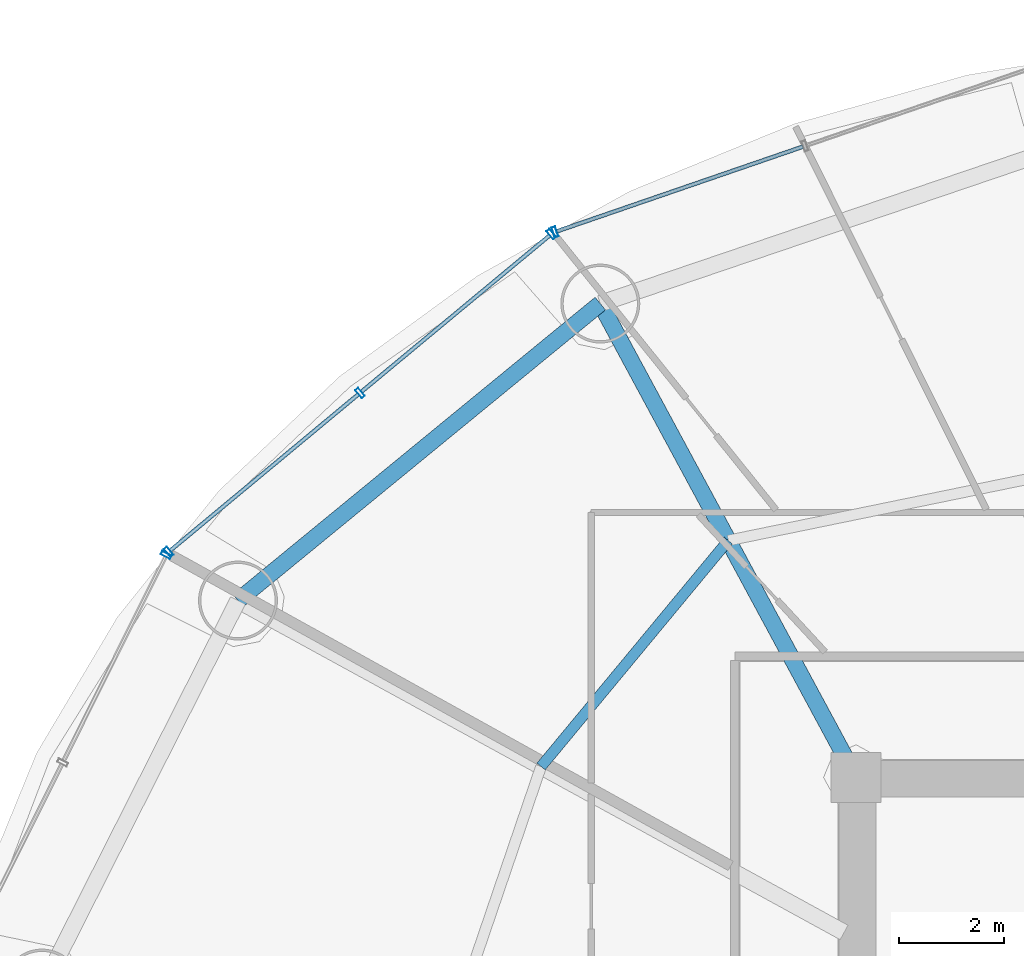
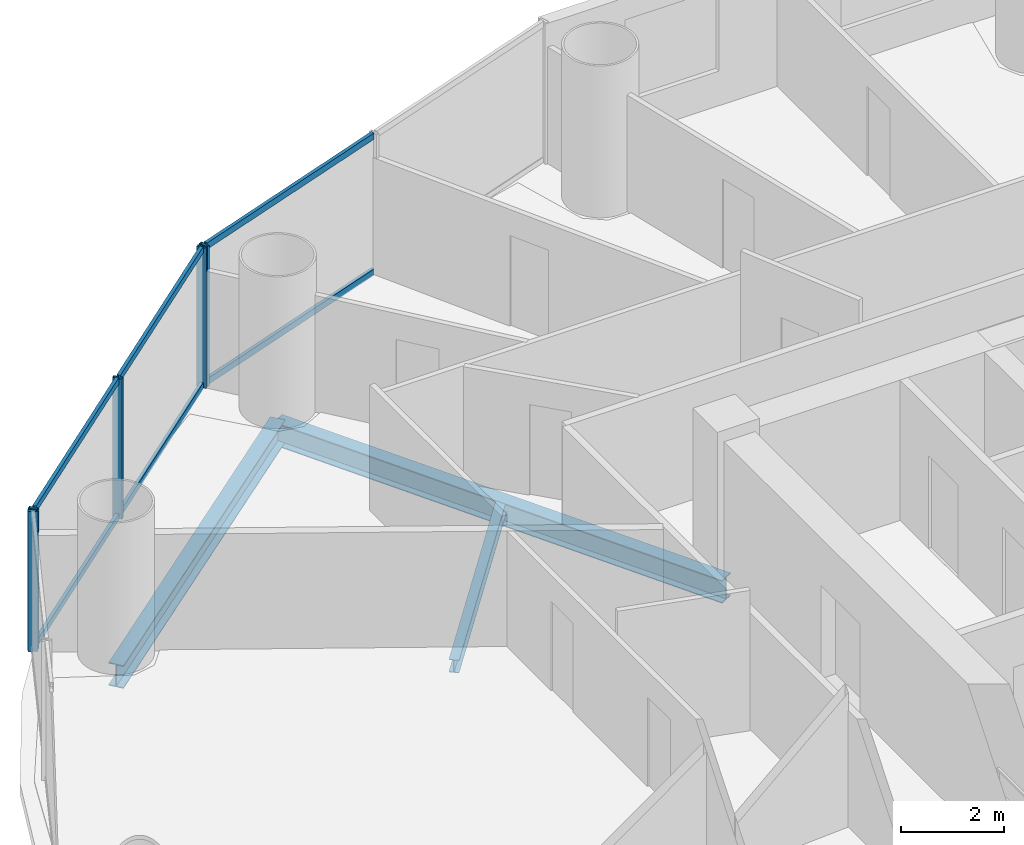
# One storey, part 16 of 29: 11 members, 3 beams, 3 elements without a shape of their own.
"""IFC4 building model written with IfcOpenShell, lengths in metres."""

from ifc_helpers import new_model, si_unit, direction, frame, origin, origin_2d, place, context, subcontext, project, spatial, hollow_rectangle, i_section, extrude, source, transform, mapped, material, material_profile, profile_set, type_object, element, aggregate, save


model = new_model("IFC4")

# Units and contexts
model_context = context("Model", 3, precision=1e-05, world=origin(), true_north=direction((-0.2419218956, 0.970295726276)))
body_context = subcontext(model_context, "Body", "Model", "MODEL_VIEW")
ifc_project = project(units=[si_unit("LENGTHUNIT", "METRE"), si_unit("AREAUNIT", "SQUARE_METRE"), si_unit("VOLUMEUNIT", "CUBIC_METRE"), si_unit("PLANEANGLEUNIT", "RADIAN"), si_unit("MASSUNIT", "GRAM", prefix="KILO")], contexts=[model_context])

# Site, building, storey
site_placement = place(None, origin())
site = spatial("IfcSite", under=ifc_project, at=site_placement, CompositionType="ELEMENT")
building_placement = place(site_placement, origin())
building = spatial("IfcBuilding", under=site, at=building_placement, Name="Cobrevalo Terracotta Tower", CompositionType="ELEMENT")
storey_placement = place(building_placement, frame((0.0, 0.0, 94.199951171875)))
storey = spatial("IfcBuildingStorey", under=building, at=storey_placement, Name="L24", CompositionType="ELEMENT", Elevation=94.199951171875)

# Beams
ifc_material_1 = material(Name="Steel S355", Category="steel")
ifc_material_profile_1 = material_profile(ifc_material_1, i_section(OverallWidth=0.31201171875, OverallDepth=0.54296875, WebThickness=0.0126953125, FlangeThickness=0.020263671875, at=origin_2d()), Name="W 530x150")
ifc_profile_set_1 = profile_set([ifc_material_profile_1], Name="Steel S355")
beam_type_1 = type_object("IfcBeamType", Name="Structural Beam W 530x150 (Steel S355)", PredefinedType="BEAM", material=ifc_profile_set_1)
beam_1_placement = place(storey_placement, frame((24.138427734375, 43.803466796875, -0.54638671875), z_axis=(0.475128224431, -0.879916570107, 0.0), x_axis=(0.879916570107, 0.475128224431, 0.0)))
element("IfcBeam", 1, at=beam_1_placement, inside=storey, type_object=beam_type_1, Name="L24 radial floor girder 06", PredefinedType="BEAM", context=body_context, shape_type="SweptSolid", body=[
    extrude(i_section(OverallWidth=0.31201171875, OverallDepth=0.54296875, WebThickness=0.0126953125, FlangeThickness=0.020263671875, at=origin_2d()), origin(), (0.0, 0.0, 1.0), 10.232177734375),
])
ifc_material_profile_2 = material_profile(ifc_material_1, i_section(OverallWidth=0.2041015625, OverallDepth=0.305908203125, WebThickness=0.008544921875, FlangeThickness=0.0146484375, at=origin_2d()), Name="W 310x67")
ifc_profile_set_2 = profile_set([ifc_material_profile_2], Name="Steel S355")
beam_type_2 = type_object("IfcBeamType", Name="Structural Joist W 310x67 (Steel S355)", PredefinedType="JOIST", material=ifc_profile_set_2)
beam_2_placement = place(storey_placement, frame((26.5693359375, 39.3017578125, -0.427978515625), z_axis=(-0.6379592588, -0.77007011636, 0.0), x_axis=(0.77007011636, -0.6379592588, 0.0)))
element("IfcBeam", 2, at=beam_2_placement, inside=storey, type_object=beam_type_2, Name="L24 circumferential secondary floor joist 06", PredefinedType="JOIST", context=body_context, shape_type="SweptSolid", body=[
    extrude(i_section(OverallWidth=0.2041015625, OverallDepth=0.305908203125, WebThickness=0.008544921875, FlangeThickness=0.0146484375, at=origin_2d()), origin(), (0.0, 0.0, 1.0), 5.575439453125),
])
ifc_material_profile_3 = material_profile(ifc_material_1, i_section(OverallWidth=0.31201171875, OverallDepth=0.54296875, WebThickness=0.0126953125, FlangeThickness=0.020263671875, at=origin_2d()), Name="W 530x150")
ifc_profile_set_3 = profile_set([ifc_material_profile_3], Name="Steel S355")
beam_type_3 = type_object("IfcBeamType", Name="Structural Spandrel W 530x150 (Steel S355)", PredefinedType="SPANDREL", material=ifc_profile_set_3)
beam_3_placement = place(storey_placement, frame((24.138427734375, 43.803466796875, -0.54638671875), z_axis=(-0.773400923541, -0.633917196064, 0.0), x_axis=(0.633917196064, -0.773400923541, 0.0)))
element("IfcBeam", 3, at=beam_3_placement, inside=storey, type_object=beam_type_3, Name="L24 perimeter ring spandrel 06", PredefinedType="SPANDREL", context=body_context, shape_type="SweptSolid", body=[
    extrude(i_section(OverallWidth=0.31201171875, OverallDepth=0.54296875, WebThickness=0.0126953125, FlangeThickness=0.020263671875, at=origin_2d()), origin(), (0.0, 0.0, 1.0), 8.900390625),
])

# Curtain wall, member
ifc_material_2 = material(Name="Anodized aluminium", Category="aluminium")
curtain_wall_type = type_object("IfcCurtainWallType", Name="Lower-tower unitised acoustic low-E curtain wall CW-U1", PredefinedType="NOTDEFINED", material=ifc_material_2)
curtain_wall_1_placement = place(storey_placement, origin())
curtain_wall_1 = element("IfcCurtainWall", 4, at=curtain_wall_1_placement, inside=storey, type_object=curtain_wall_type, Name="L24 curtain wall CW-L24-S05", PredefinedType="NOTDEFINED")
ifc_material_profile_4 = material_profile(ifc_material_2, hollow_rectangle(XDim=0.074951171875, YDim=0.199951171875, WallThickness=0.0048828125, at=origin_2d()), Name="CWM 75x200")
ifc_profile_set_4 = profile_set([ifc_material_profile_4], Name="Anodized aluminium")
member_type_1 = type_object("IfcMemberType", Name="Lower/mid tower unitised mullion 75x200", PredefinedType="MULLION", material=ifc_profile_set_4)
shared_shape_1 = source(origin(), body_context, "Body", "SweptSolid", [
    extrude(hollow_rectangle(XDim=0.074951171875, YDim=0.199951171875, WallThickness=0.0048828125, at=origin_2d()), origin(), (0.0, 0.0, 1.0), 3.324951171875),
])
member_1_placement = place(storey_placement, frame((23.2763671875, 45.16357421875, 0.0), z_axis=(0.0, 0.0, 1.0), x_axis=(-0.94559809868, -0.325337110968, 0.0)))
member_1 = element("IfcMember", 5, at=member_1_placement, type_object=member_type_1, Name="CW-L24-S05 vertical mullion 03", PredefinedType="MULLION", context=body_context, shape_type="MappedRepresentation", body=[
    mapped(shared_shape_1, transform((0.0, 0.0, 0.0), scale=1.0)),
])

# Curtain wall, members
curtain_wall_2_placement = place(storey_placement, origin())
curtain_wall_2 = element("IfcCurtainWall", 6, at=curtain_wall_2_placement, inside=storey, type_object=curtain_wall_type, Name="L24 curtain wall CW-L24-S06", PredefinedType="NOTDEFINED")
member_2_placement = place(storey_placement, frame((23.207763671875, 45.125, 0.0), z_axis=(0.0, 0.0, 1.0), x_axis=(-0.769243451658, -0.638955798222, 0.0)))
member_2 = element("IfcMember", 7, at=member_2_placement, type_object=member_type_1, Name="CW-L24-S06 vertical mullion 01", PredefinedType="MULLION", context=body_context, shape_type="MappedRepresentation", body=[
    mapped(shared_shape_1, transform((0.0, 0.0, 0.0), scale=1.0)),
])
member_3_placement = place(storey_placement, frame((19.5732421875, 42.10595703125, 0.0), z_axis=(0.0, 0.0, 1.0), x_axis=(-0.769243451658, -0.638955798222, 0.0)))
member_3 = element("IfcMember", 8, at=member_3_placement, type_object=member_type_1, Name="CW-L24-S06 vertical mullion 02", PredefinedType="MULLION", context=body_context, shape_type="MappedRepresentation", body=[
    mapped(shared_shape_1, transform((0.0, 0.0, 0.0), scale=1.0)),
])
member_4_placement = place(storey_placement, frame((15.938720703125, 39.0869140625, 0.0), z_axis=(0.0, 0.0, 1.0), x_axis=(-0.769243451658, -0.638955798222, 0.0)))
member_4 = element("IfcMember", 9, at=member_4_placement, type_object=member_type_1, Name="CW-L24-S06 vertical mullion 03", PredefinedType="MULLION", context=body_context, shape_type="MappedRepresentation", body=[
    mapped(shared_shape_1, transform((0.0, 0.0, 0.0), scale=1.0)),
])

# Curtain wall, member
curtain_wall_3_placement = place(storey_placement, origin())
curtain_wall_3 = element("IfcCurtainWall", 10, at=curtain_wall_3_placement, inside=storey, type_object=curtain_wall_type, Name="L24 curtain wall CW-L24-S07", PredefinedType="NOTDEFINED")
member_5_placement = place(storey_placement, frame((15.889892578125, 39.025634765625, 0.0), z_axis=(0.0, 0.0, 1.0), x_axis=(-0.446260290227, -0.894903208937, 0.0)))
member_5 = element("IfcMember", 11, at=member_5_placement, type_object=member_type_1, Name="CW-L24-S07 vertical mullion 01", PredefinedType="MULLION", context=body_context, shape_type="MappedRepresentation", body=[
    mapped(shared_shape_1, transform((0.0, 0.0, 0.0), scale=1.0)),
])
aggregate(curtain_wall_3, [member_5])

# Member
ifc_material_profile_5 = material_profile(ifc_material_2, hollow_rectangle(XDim=0.074951171875, YDim=0.14990234375, WallThickness=0.00439453125, at=origin_2d()), Name="CWT 75x150")
ifc_profile_set_5 = profile_set([ifc_material_profile_5], Name="Anodized aluminium")
member_type_2 = type_object("IfcMemberType", Name="Tower unitised aluminium transom 75x150", PredefinedType="USERDEFINED", material=ifc_profile_set_5)
shared_shape_2 = source(origin(), body_context, "Body", "SweptSolid", [
    extrude(hollow_rectangle(XDim=0.074951171875, YDim=0.14990234375, WallThickness=0.00439453125, at=origin_2d()), origin(), (0.0, 0.0, 1.0), 4.944580078125),
])
member_6_placement = place(storey_placement, frame((27.98974609375, 46.78515625, 0.050048828125), z_axis=(-0.945597859971, -0.32533780478, 0.0), x_axis=(0.32533780478, -0.945597859971, 0.0)))
member_6 = element("IfcMember", 12, at=member_6_placement, type_object=member_type_2, Name="CW-L24-S05 transom B02-T1", ObjectType="TRANSOM", PredefinedType="USERDEFINED", context=body_context, shape_type="MappedRepresentation", body=[
    mapped(shared_shape_2, transform((0.0, 0.0, 0.0), scale=1.0)),
])

member_7_placement = place(storey_placement, frame((27.98974609375, 46.78515625, 3.275146484375), z_axis=(-0.945597859971, -0.32533780478, 0.0), x_axis=(0.32533780478, -0.945597859971, 0.0)))
member_7 = element("IfcMember", 13, at=member_7_placement, type_object=member_type_2, Name="CW-L24-S05 transom B02-T2", ObjectType="TRANSOM", PredefinedType="USERDEFINED", context=body_context, shape_type="MappedRepresentation", body=[
    mapped(shared_shape_2, transform((0.0, 0.0, 0.0), scale=1.0)),
])

aggregate(curtain_wall_1, [member_1, member_6, member_7])

shared_shape_3 = source(origin(), body_context, "Body", "SweptSolid", [
    extrude(hollow_rectangle(XDim=0.074951171875, YDim=0.14990234375, WallThickness=0.00439453125, at=origin_2d()), origin(), (0.0, 0.0, 1.0), 4.644775390625),
])
member_8_placement = place(storey_placement, frame((23.177001953125, 45.099365234375, 0.050048828125), z_axis=(-0.76924999091, -0.638947925487, 0.0), x_axis=(0.638947925487, -0.76924999091, 0.0)))
member_8 = element("IfcMember", 14, at=member_8_placement, type_object=member_type_2, Name="CW-L24-S06 transom B01-T1", ObjectType="TRANSOM", PredefinedType="USERDEFINED", context=body_context, shape_type="MappedRepresentation", body=[
    mapped(shared_shape_3, transform((0.0, 0.0, 0.0), scale=1.0)),
])

member_9_placement = place(storey_placement, frame((23.177001953125, 45.099365234375, 3.275146484375), z_axis=(-0.76924999091, -0.638947925487, 0.0), x_axis=(0.638947925487, -0.76924999091, 0.0)))
member_9 = element("IfcMember", 15, at=member_9_placement, type_object=member_type_2, Name="CW-L24-S06 transom B01-T2", ObjectType="TRANSOM", PredefinedType="USERDEFINED", context=body_context, shape_type="MappedRepresentation", body=[
    mapped(shared_shape_3, transform((0.0, 0.0, 0.0), scale=1.0)),
])

member_10_placement = place(storey_placement, frame((19.54248046875, 42.080322265625, 0.050048828125), z_axis=(-0.76924999091, -0.638947925487, 0.0), x_axis=(0.638947925487, -0.76924999091, 0.0)))
member_10 = element("IfcMember", 16, at=member_10_placement, type_object=member_type_2, Name="CW-L24-S06 transom B02-T1", ObjectType="TRANSOM", PredefinedType="USERDEFINED", context=body_context, shape_type="MappedRepresentation", body=[
    mapped(shared_shape_3, transform((0.0, 0.0, 0.0), scale=1.0)),
])

member_11_placement = place(storey_placement, frame((19.54248046875, 42.080322265625, 3.275146484375), z_axis=(-0.76924999091, -0.638947925487, 0.0), x_axis=(0.638947925487, -0.76924999091, 0.0)))
member_11 = element("IfcMember", 17, at=member_11_placement, type_object=member_type_2, Name="CW-L24-S06 transom B02-T2", ObjectType="TRANSOM", PredefinedType="USERDEFINED", context=body_context, shape_type="MappedRepresentation", body=[
    mapped(shared_shape_3, transform((0.0, 0.0, 0.0), scale=1.0)),
])

aggregate(curtain_wall_2, [member_2, member_3, member_4, member_8, member_9, member_10, member_11])

save(model, "model.ifc")
